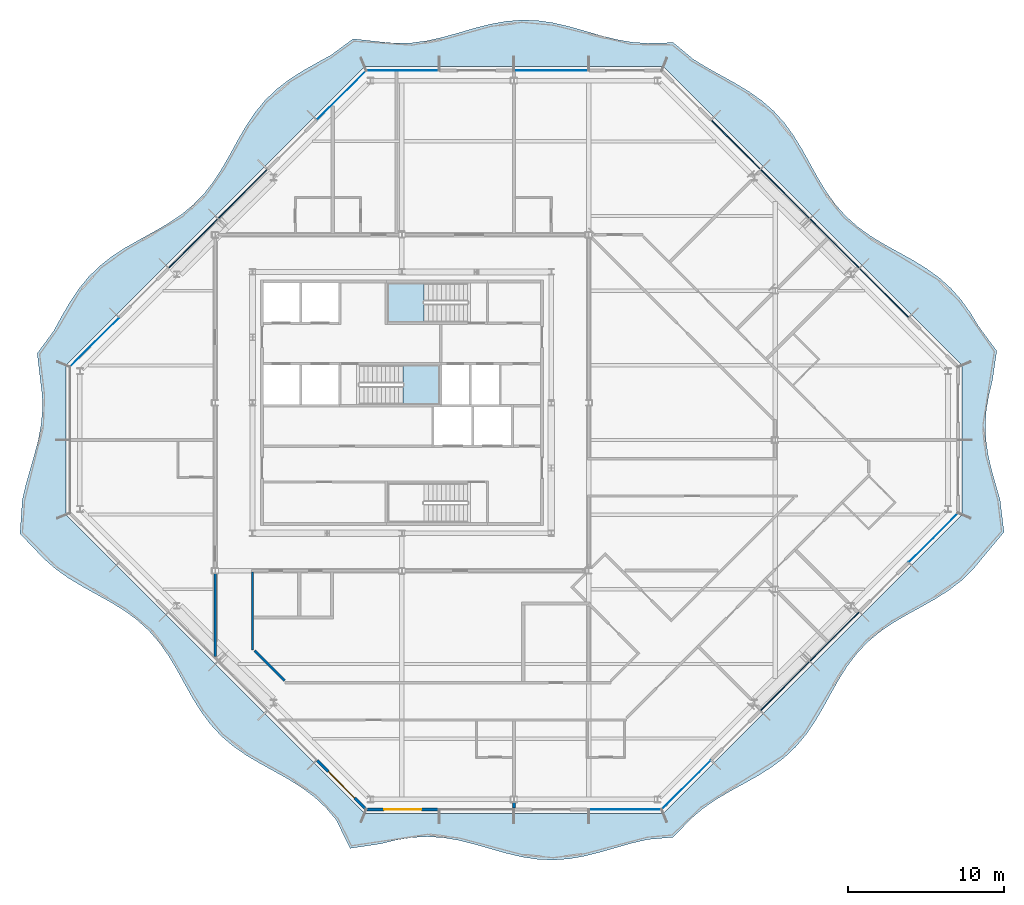
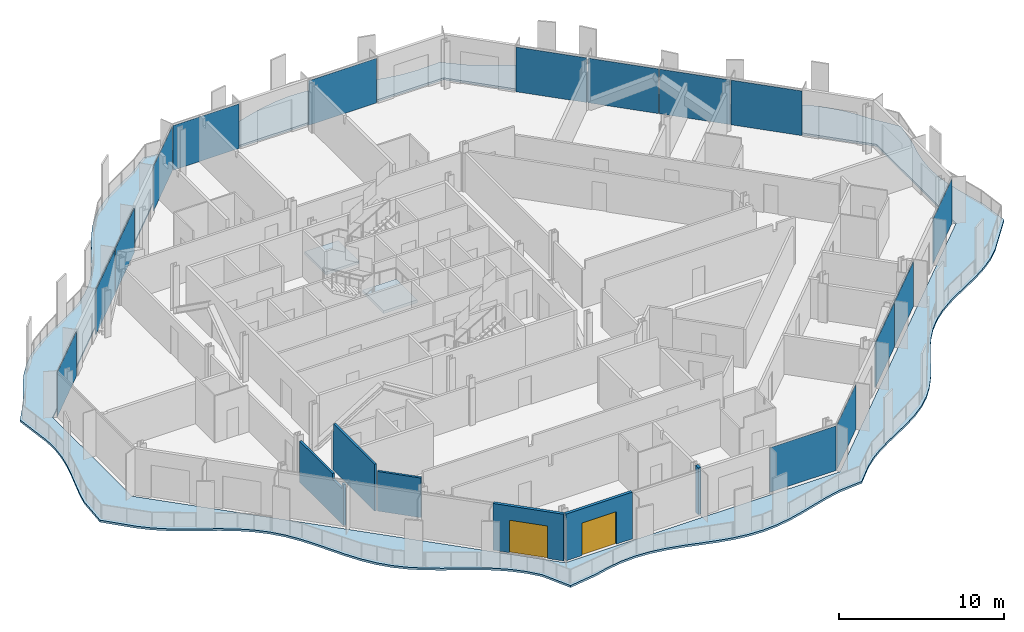
# One storey, part 6 of 17: 15 plates, 6 walls, 3 slabs, 2 doors, 2 openings, 7 elements without a shape of their own.
"""IFC4 building model written with IfcOpenShell, lengths in metres."""

from ifc_helpers import new_model, si_unit, direction, frame, frame_2d, origin, origin_2d, place, context, subcontext, project, spatial, polyline, rectangle, outline, extrude, material, layer, layer_set, type_object, element, fill, aggregate, save


model = new_model("IFC4")

# Units and contexts
model_context = context("Model", 3, precision=1e-05, world=origin(), true_north=direction((0.0, 1.0)))
body_context = subcontext(model_context, "Body", "Model", "MODEL_VIEW")
ifc_project = project(units=[si_unit("LENGTHUNIT", "METRE"), si_unit("AREAUNIT", "SQUARE_METRE"), si_unit("VOLUMEUNIT", "CUBIC_METRE"), si_unit("PLANEANGLEUNIT", "RADIAN"), si_unit("MASSUNIT", "GRAM", prefix="KILO")], contexts=[model_context])

# Site, building, storey
site_placement = place(None, origin())
site = spatial("IfcSite", under=ifc_project, at=site_placement, CompositionType="ELEMENT")
building_placement = place(site_placement, origin())
building = spatial("IfcBuilding", under=site, at=building_placement, Name="Cairn Pilgrim Tower", CompositionType="ELEMENT")
storey_placement = place(building_placement, frame((0.0, 0.0, 235.800048828125)))
storey = spatial("IfcBuildingStorey", under=building, at=storey_placement, Name="L60", CompositionType="ELEMENT", Elevation=235.800048828125)

# Slab
ifc_material_1 = material(Name="Concrete C35/45", Category="concrete")
ifc_layer_1 = layer(ifc_material_1, 0.14990234375)
ifc_layer_set_1 = layer_set([ifc_layer_1], Name="BALCONY SLAB 150 CONCRETE C35/45")
slab_type_1 = type_object("IfcSlabType", Name="BALCONY SLAB 150 CONCRETE C35/45", PredefinedType="FLOOR", material=ifc_layer_set_1)
slab_1_placement = place(storey_placement, frame((0.0, 0.0, -0.150146484375)))
element("IfcSlab", 1, at=slab_1_placement, inside=storey, type_object=slab_type_1, Name="Balcony slab BS-1", PredefinedType="FLOOR", context=body_context, shape_type="SweptSolid", body=[
    extrude(outline(polyline([(2.969970703125, -24.407958984375), (3.867919921875, -26.25), (5.810546875, -25.960205078125), (6.821044921875, -25.71533203125), (7.83154296875, -25.553466796875), (8.842041015625, -25.5), (9.8525390625, -25.563232421875), (10.863037109375, -25.73291015625), (11.873779296875, -25.983154296875), (12.88427734375, -26.27490234375), (13.894775390625, -26.5625), (14.9052734375, -26.8017578125), (15.915771484375, -26.955322265625), (16.92626953125, -26.9990234375), (17.936767578125, -26.926513671875), (18.947265625, -26.748779296875), (19.9580078125, -26.493408203125), (20.968505859375, -26.200439453125), (21.97900390625, -25.9150390625), (22.989501953125, -25.681640625), (24.636474609375, -25.53662109375), (25.7734375, -24.351318359375), (26.541748046875, -23.697265625), (27.382568359375, -23.115966796875), (28.276123046875, -22.587158203125), (29.194091796875, -22.0830078125), (30.104736328125, -21.5712890625), (30.977294921875, -21.021728515625), (31.787109375, -20.409423828125), (32.518798828125, -19.71875), (33.169189453125, -18.947021484375), (33.74755859375, -18.103271484375), (34.274658203125, -17.2080078125), (34.778564453125, -16.28955078125), (35.291259765625, -15.380126953125), (35.843017578125, -14.509765625), (36.458984375, -13.703369140625), (37.153076171875, -12.975341796875), (37.928466796875, -12.328369140625), (38.77490234375, -11.752685546875), (39.671875, -11.2275390625), (40.590576171875, -10.723876953125), (41.4990234375, -10.210205078125), (42.366943359375, -9.65576171875), (43.170166015625, -9.03662109375), (43.894287109375, -8.3388671875), (44.53759765625, -7.559814453125), (45.902099609375, -5.919189453125), (45.64990234375, -3.840087890625), (45.369873046875, -2.8798828125), (45.100830078125, -1.919921875), (44.881103515625, -0.9599609375), (44.7412109375, 0.0), (44.70068359375, 0.9599609375), (44.765625, 1.919921875), (44.926513671875, 2.8798828125), (45.1611328125, 3.840087890625), (45.43603515625, 5.726318359375), (44.27490234375, 7.297119140625), (43.738525390625, 8.182861328125), (43.145263671875, 9.011962890625), (42.476806640625, 9.765625), (41.726806640625, 10.43798828125), (40.9013671875, 11.03466796875), (40.017578125, 11.5732421875), (39.1025390625, 12.080322265625), (38.187255859375, 12.58740234375), (37.303466796875, 13.125732421875), (36.4775390625, 13.72216796875), (35.727294921875, 14.39404296875), (35.058837890625, 15.147705078125), (34.465087890625, 15.976318359375), (33.9287109375, 16.862060546875), (33.42236328125, 17.77783203125), (32.91455078125, 18.692138671875), (32.3740234375, 19.573974609375), (31.7744140625, 20.396728515625), (31.098876953125, 21.143310546875), (30.341796875, 21.808349609375), (29.510009765625, 22.39892578125), (28.622314453125, 22.933349609375), (27.705810546875, 23.439208984375), (26.792236328125, 23.94775390625), (25.91259765625, 24.490478515625), (24.640380859375, 25.545654296875), (22.989501953125, 25.500732421875), (21.97900390625, 25.572265625), (20.968505859375, 25.7490234375), (19.9580078125, 26.003662109375), (18.947265625, 26.296630859375), (17.936767578125, 26.582275390625), (16.92626953125, 26.81640625), (15.915771484375, 26.96240234375), (14.9052734375, 26.99755859375), (13.894775390625, 26.916748046875), (12.88427734375, 26.732177734375), (11.873779296875, 26.47265625), (10.863037109375, 26.1787109375), (9.8525390625, 25.8955078125), (8.842041015625, 25.667724609375), (7.83154296875, 25.5302734375), (6.821044921875, 25.504638671875), (5.810546875, 25.594970703125), (4.059814453125, 25.787109375), (2.6396484375, 24.73828125), (1.720947265625, 24.234619140625), (0.8125, 23.720947265625), (-0.0556640625, 23.166748046875), (-0.85888671875, 22.5478515625), (-1.583251953125, 21.849853515625), (-2.226806640625, 21.0712890625), (-2.7998046875, 20.221923828125), (-3.323486328125, 19.323486328125), (-3.826904296875, 18.404541015625), (-4.341796875, 17.497314453125), (-4.8984375, 16.6318359375), (-5.520751953125, 15.831787109375), (-6.22216796875, 15.111083984375), (-7.00439453125, 14.47119140625), (-7.8564453125, 13.90087890625), (-8.756591796875, 13.378662109375), (-9.675537109375, 12.87548828125), (-10.58154296875, 12.359375), (-11.444580078125, 11.800048828125), (-12.2412109375, 11.174560546875), (-12.958251953125, 10.46923828125), (-13.5947265625, 9.68359375), (-14.162353515625, 8.828857421875), (-14.682861328125, 7.927490234375), (-15.18603515625, 7.00830078125), (-16.243408203125, 5.563720703125), (-16.0400390625, 3.840087890625), (-15.922119140625, 2.8798828125), (-15.90673828125, 1.919921875), (-15.995361328125, 0.9599609375), (-16.17626953125, 0.0), (-16.423583984375, -0.9599609375), (-16.70263671875, -1.919921875), (-16.974365234375, -2.8798828125), (-17.200439453125, -3.840087890625), (-17.349365234375, -6.021728515625), (-15.81005859375, -7.63232421875), (-15.052978515625, -8.29736328125), (-14.221435546875, -8.887939453125), (-13.333740234375, -9.422607421875), (-12.417236328125, -9.928466796875), (-11.503662109375, -10.43701171875), (-10.6240234375, -10.9794921875), (-9.80419921875, -11.58203125), (-9.06103515625, -12.26123046875), (-8.399658203125, -13.021728515625), (-7.81201171875, -13.8564453125), (-7.279296875, -14.74609375), (-6.774169921875, -15.6630859375), (-6.2646484375, -16.57568359375), (-5.719970703125, -17.453125), (-5.1142578125, -18.269775390625), (-4.431396484375, -19.00927734375), (-3.667236328125, -19.667236328125), (-2.82958984375, -20.251708984375), (-1.938232421875, -20.78271484375), (-1.020751953125, -21.287353515625), (-0.10888671875, -21.7978515625), (0.766357421875, -22.3447265625), (1.57958984375, -22.95361328125), (2.3154296875, -23.64013671875), (2.969970703125, -24.407958984375)]), holes=[polyline([(24.0, -24.0), (4.800048828125, -24.0), (-14.39990234375, -4.800048828125), (-14.39990234375, 4.800048828125), (4.800048828125, 24.0), (24.0, 24.0), (43.199951171875, 4.800048828125), (43.199951171875, -4.800048828125), (24.0, -24.0)])]), origin(), (0.0, 0.0, 1.0), 0.150146484375),
])

# Curtain wall, plates
ifc_material_2 = material(Name="Aluminium alloy 6063-T6 bronze anodised with Bronze tinted laminated low-E glass 8+16+8.8", Category="aluminium")
curtain_wall_type_1 = type_object("IfcCurtainWallType", Name="CHAMFER CORNER CURTAIN WALL", PredefinedType="NOTDEFINED", material=ifc_material_2)
curtain_wall_1_placement = place(storey_placement, origin())
curtain_wall_1 = element("IfcCurtainWall", 2, at=curtain_wall_1_placement, inside=storey, type_object=curtain_wall_type_1, Name="Chamfer Corner Curtain Wall SE", PredefinedType="NOTDEFINED")
ifc_material_3 = material(Name="Bronze anodised aluminium spandrel panel with mineral wool insulation", Category="aluminium")
ifc_layer_2 = layer(ifc_material_3, 0.06005859375)
ifc_layer_set_2 = layer_set([ifc_layer_2], Name="SPANDREL PANEL 4431x3300")
plate_type_1 = type_object("IfcPlateType", Name="SPANDREL PANEL 4431x3300", PredefinedType="CURTAIN_PANEL", material=ifc_layer_set_2)
plate_1_placement = place(storey_placement, frame((31.83544921875, -15.81103515625, 0.0), z_axis=(0.0, 0.0, 1.0), x_axis=(0.707106781187, 0.707106781187, 0.0)))
plate_1 = element("IfcPlate", 3, at=plate_1_placement, type_object=plate_type_1, Name="Spandrel Panel SE3-1", PredefinedType="CURTAIN_PANEL", context=body_context, shape_type="SweptSolid", body=[
    extrude(rectangle(XDim=4.430908203125, YDim=0.06005859375, at=origin_2d()), origin(), (0.0, 0.0, 1.0), 3.300048828125),
])
plate_2_placement = place(storey_placement, frame((35.010986328125, -12.635498046875, 0.0), z_axis=(0.0, 0.0, 1.0), x_axis=(0.707106781187, 0.707106781187, 0.0)))
plate_2 = element("IfcPlate", 4, at=plate_2_placement, type_object=plate_type_1, Name="Spandrel Panel SE4-1", PredefinedType="CURTAIN_PANEL", context=body_context, shape_type="SweptSolid", body=[
    extrude(rectangle(XDim=4.430908203125, YDim=0.06005859375, at=origin_2d()), origin(), (0.0, 0.0, 1.0), 3.300048828125),
])

curtain_wall_2_placement = place(storey_placement, origin())
curtain_wall_2 = element("IfcCurtainWall", 5, at=curtain_wall_2_placement, inside=storey, type_object=curtain_wall_type_1, Name="Chamfer Corner Curtain Wall NE", PredefinedType="NOTDEFINED")
plate_3_placement = place(storey_placement, frame((38.1865234375, 9.459716796875, 0.0), z_axis=(0.0, 0.0, 1.0), x_axis=(-0.707106781187, 0.707106781187, 0.0)))
plate_3 = element("IfcPlate", 6, at=plate_3_placement, type_object=plate_type_1, Name="Spandrel Panel NE2-1", PredefinedType="CURTAIN_PANEL", context=body_context, shape_type="SweptSolid", body=[
    extrude(rectangle(XDim=4.430908203125, YDim=0.06005859375, at=origin_2d()), origin(), (0.0, 0.0, 1.0), 3.300048828125),
])
plate_4_placement = place(storey_placement, frame((35.010986328125, 12.635498046875, 0.0), z_axis=(0.0, 0.0, 1.0), x_axis=(-0.707106781187, 0.707106781187, 0.0)))
plate_4 = element("IfcPlate", 7, at=plate_4_placement, type_object=plate_type_1, Name="Spandrel Panel NE3-1", PredefinedType="CURTAIN_PANEL", context=body_context, shape_type="SweptSolid", body=[
    extrude(rectangle(XDim=4.430908203125, YDim=0.06005859375, at=origin_2d()), origin(), (0.0, 0.0, 1.0), 3.300048828125),
])
plate_5_placement = place(storey_placement, frame((31.83544921875, 15.81103515625, 0.0), z_axis=(0.0, 0.0, 1.0), x_axis=(-0.707106781187, 0.707106781187, 0.0)))
plate_5 = element("IfcPlate", 8, at=plate_5_placement, type_object=plate_type_1, Name="Spandrel Panel NE4-1", PredefinedType="CURTAIN_PANEL", context=body_context, shape_type="SweptSolid", body=[
    extrude(rectangle(XDim=4.430908203125, YDim=0.06005859375, at=origin_2d()), origin(), (0.0, 0.0, 1.0), 3.300048828125),
])
plate_6_placement = place(storey_placement, frame((28.659912109375, 18.986572265625, 0.0), z_axis=(0.0, 0.0, 1.0), x_axis=(-0.707106781187, 0.707106781187, 0.0)))
plate_6 = element("IfcPlate", 9, at=plate_6_placement, type_object=plate_type_1, Name="Spandrel Panel NE5-1", PredefinedType="CURTAIN_PANEL", context=body_context, shape_type="SweptSolid", body=[
    extrude(rectangle(XDim=4.430908203125, YDim=0.06005859375, at=origin_2d()), origin(), (0.0, 0.0, 1.0), 3.300048828125),
])
aggregate(curtain_wall_2, [plate_3, plate_4, plate_5, plate_6])

curtain_wall_3_placement = place(storey_placement, origin())
curtain_wall_3 = element("IfcCurtainWall", 10, at=curtain_wall_3_placement, inside=storey, type_object=curtain_wall_type_1, Name="Chamfer Corner Curtain Wall NW", PredefinedType="NOTDEFINED")
plate_7_placement = place(storey_placement, frame((-3.035400390625, 15.81103515625, 0.0), z_axis=(0.0, 0.0, 1.0), x_axis=(-0.707106781187, -0.707106781187, 0.0)))
plate_7 = element("IfcPlate", 11, at=plate_7_placement, type_object=plate_type_1, Name="Spandrel Panel NW3-1", PredefinedType="CURTAIN_PANEL", context=body_context, shape_type="SweptSolid", body=[
    extrude(rectangle(XDim=4.430908203125, YDim=0.06005859375, at=origin_2d()), origin(), (0.0, 0.0, 1.0), 3.300048828125),
])
plate_8_placement = place(storey_placement, frame((-6.2109375, 12.635498046875, 0.0), z_axis=(0.0, 0.0, 1.0), x_axis=(-0.707106781187, -0.707106781187, 0.0)))
plate_8 = element("IfcPlate", 12, at=plate_8_placement, type_object=plate_type_1, Name="Spandrel Panel NW4-1", PredefinedType="CURTAIN_PANEL", context=body_context, shape_type="SweptSolid", body=[
    extrude(rectangle(XDim=4.430908203125, YDim=0.06005859375, at=origin_2d()), origin(), (0.0, 0.0, 1.0), 3.300048828125),
])

# Stair, slab
ifc_material_4 = material(Name="Concrete C32/40", Category="concrete")
stair_type = type_object("IfcStairType", Name="EXIT STAIR 1200", PredefinedType="HALF_TURN_STAIR", material=ifc_material_4)
stair_1_placement = place(storey_placement, origin())
stair_1 = element("IfcStair", 13, at=stair_1_placement, inside=storey, type_object=stair_type, Name="L60 Exit Stair B", PredefinedType="HALF_TURN_STAIR")
ifc_layer_3 = layer(ifc_material_4, 0.199951171875)
ifc_layer_set_3 = layer_set([ifc_layer_3], Name="STAIR LANDING 200")
slab_type_2 = type_object("IfcSlabType", Name="STAIR LANDING 200", PredefinedType="LANDING", material=ifc_layer_set_3)
slab_2_placement = place(storey_placement, frame((0.0, 0.0, 1.599853515625)))
slab_2 = element("IfcSlab", 14, at=slab_2_placement, type_object=slab_type_2, Name="ST-B landing 1", PredefinedType="LANDING", context=body_context, shape_type="SweptSolid", body=[
    extrude(outline(polyline([(7.27490234375, 2.27490234375), (9.625, 2.27490234375), (9.625, 4.824951171875), (7.27490234375, 4.824951171875), (7.27490234375, 2.27490234375)])), origin(), (0.0, 0.0, 1.0), 0.2001953125),
])
aggregate(stair_1, [slab_2])

stair_2_placement = place(storey_placement, origin())
stair_2 = element("IfcStair", 15, at=stair_2_placement, inside=storey, type_object=stair_type, Name="L60 Exit Stair C", PredefinedType="HALF_TURN_STAIR")
slab_3_placement = place(storey_placement, frame((0.0, 0.0, 1.599853515625)))
slab_3 = element("IfcSlab", 16, at=slab_3_placement, type_object=slab_type_2, Name="ST-C landing 1", PredefinedType="LANDING", context=body_context, shape_type="SweptSolid", body=[
    extrude(outline(polyline([(8.625, 10.10009765625), (6.27490234375, 10.10009765625), (6.27490234375, 7.574951171875), (8.625, 7.574951171875), (8.625, 10.10009765625)])), origin(), (0.0, 0.0, 1.0), 0.2001953125),
])
aggregate(stair_2, [slab_3])

# Plate
ifc_material_5 = material(Name="Bronze tinted laminated low-E glass 8+16+8.8", Category="glass")
ifc_layer_4 = layer(ifc_material_5, 0.033935546875)
ifc_layer_set_4 = layer_set([ifc_layer_4], Name="VISION GLAZING 4421x3300")
plate_type_2 = type_object("IfcPlateType", Name="VISION GLAZING 4421x3300", PredefinedType="CURTAIN_PANEL", material=ifc_layer_set_4)
plate_9_placement = place(storey_placement, frame((25.48779296875, -22.15869140625, 0.0), z_axis=(0.0, 0.0, 1.0), x_axis=(0.707106781187, 0.707106781187, 0.0)))
plate_9 = element("IfcPlate", 17, at=plate_9_placement, type_object=plate_type_2, Name="Vision Glazing SE1-1", PredefinedType="CURTAIN_PANEL", context=body_context, shape_type="SweptSolid", body=[
    extrude(rectangle(XDim=4.4208984375, YDim=0.033935546875, at=origin_2d()), origin(), (0.0, 0.0, 1.0), 3.300048828125),
])

plate_10_placement = place(storey_placement, frame((41.358642578125, -6.287841796875, 0.0), z_axis=(0.0, 0.0, 1.0), x_axis=(0.707106781187, 0.707106781187, 0.0)))
plate_10 = element("IfcPlate", 18, at=plate_10_placement, type_object=plate_type_2, Name="Vision Glazing SE6-1", PredefinedType="CURTAIN_PANEL", context=body_context, shape_type="SweptSolid", body=[
    extrude(rectangle(XDim=4.4208984375, YDim=0.033935546875, at=origin_2d()), origin(), (0.0, 0.0, 1.0), 3.300048828125),
])

aggregate(curtain_wall_1, [plate_9, plate_1, plate_2, plate_10])

plate_11_placement = place(storey_placement, frame((3.312255859375, 22.15869140625, 0.0), z_axis=(0.0, 0.0, 1.0), x_axis=(-0.707106781187, -0.707106781187, 0.0)))
plate_11 = element("IfcPlate", 19, at=plate_11_placement, type_object=plate_type_2, Name="Vision Glazing NW1-1", PredefinedType="CURTAIN_PANEL", context=body_context, shape_type="SweptSolid", body=[
    extrude(rectangle(XDim=4.4208984375, YDim=0.033935546875, at=origin_2d()), origin(), (0.0, 0.0, 1.0), 3.300048828125),
])

plate_12_placement = place(storey_placement, frame((-12.55859375, 6.287841796875, 0.0), z_axis=(0.0, 0.0, 1.0), x_axis=(-0.707106781187, -0.707106781187, 0.0)))
plate_12 = element("IfcPlate", 20, at=plate_12_placement, type_object=plate_type_2, Name="Vision Glazing NW6-1", PredefinedType="CURTAIN_PANEL", context=body_context, shape_type="SweptSolid", body=[
    extrude(rectangle(XDim=4.4208984375, YDim=0.033935546875, at=origin_2d()), origin(), (0.0, 0.0, 1.0), 3.300048828125),
])

aggregate(curtain_wall_3, [plate_11, plate_7, plate_8, plate_12])

# Curtain wall, plate
curtain_wall_type_2 = type_object("IfcCurtainWallType", Name="TOWER STICK CURTAIN WALL NS", PredefinedType="NOTDEFINED", material=ifc_material_2)
curtain_wall_4_placement = place(storey_placement, origin())
curtain_wall_4 = element("IfcCurtainWall", 21, at=curtain_wall_4_placement, inside=storey, type_object=curtain_wall_type_2, Name="Tower Stick Curtain Wall Ns S", PredefinedType="NOTDEFINED")
ifc_layer_5 = layer(ifc_material_5, 0.033935546875)
ifc_layer_set_5 = layer_set([ifc_layer_5], Name="VISION GLAZING 4626x3300")
plate_type_3 = type_object("IfcPlateType", Name="VISION GLAZING 4626x3300", PredefinedType="CURTAIN_PANEL", material=ifc_layer_set_5)
plate_13_placement = place(storey_placement, frame((21.543212890625, -23.75, 0.0), z_axis=(0.0, 0.0, 1.0), x_axis=(1.0, 0.0, 0.0)))
plate_13 = element("IfcPlate", 22, at=plate_13_placement, type_object=plate_type_3, Name="Vision Glazing S4-1", PredefinedType="CURTAIN_PANEL", context=body_context, shape_type="SweptSolid", body=[
    extrude(rectangle(XDim=4.62646484375, YDim=0.033935546875, at=origin_2d()), origin(), (0.0, 0.0, 1.0), 3.300048828125),
])
aggregate(curtain_wall_4, [plate_13])

# Curtain wall, plates
curtain_wall_5_placement = place(storey_placement, origin())
curtain_wall_5 = element("IfcCurtainWall", 23, at=curtain_wall_5_placement, inside=storey, type_object=curtain_wall_type_2, Name="Tower Stick Curtain Wall Ns N", PredefinedType="NOTDEFINED")
plate_14_placement = place(storey_placement, frame((7.2568359375, 23.75, 0.0), z_axis=(0.0, 0.0, 1.0), x_axis=(-1.0, 0.0, 0.0)))
plate_14 = element("IfcPlate", 24, at=plate_14_placement, type_object=plate_type_3, Name="Vision Glazing N4-1", PredefinedType="CURTAIN_PANEL", context=body_context, shape_type="SweptSolid", body=[
    extrude(rectangle(XDim=4.62646484375, YDim=0.033935546875, at=origin_2d()), origin(), (0.0, 0.0, 1.0), 3.300048828125),
])
ifc_layer_6 = layer(ifc_material_5, 0.033935546875)
ifc_layer_set_6 = layer_set([ifc_layer_6], Name="VISION GLAZING 4740x3300")
plate_type_4 = type_object("IfcPlateType", Name="VISION GLAZING 4740x3300", PredefinedType="CURTAIN_PANEL", material=ifc_layer_set_6)
plate_15_placement = place(storey_placement, frame((16.800048828125, 23.75, 0.0), z_axis=(0.0, 0.0, 1.0), x_axis=(-1.0, 0.0, 0.0)))
plate_15 = element("IfcPlate", 25, at=plate_15_placement, type_object=plate_type_4, Name="Vision Glazing N2-1", PredefinedType="CURTAIN_PANEL", context=body_context, shape_type="SweptSolid", body=[
    extrude(rectangle(XDim=4.739990234375, YDim=0.033935546875, at=origin_2d()), origin(), (0.0, 0.0, 1.0), 3.300048828125),
])
aggregate(curtain_wall_5, [plate_15, plate_14])

# Wall, opening, door
ifc_material_6 = material(Name="Bronze anodised aluminium insulated sandwich panel with mineral wool fill", Category="aluminium")
ifc_layer_7 = layer(ifc_material_6, 0.199951171875)
ifc_layer_set_7 = layer_set([ifc_layer_7], Name="BRONZE INFILL FRAME WALL 200")
wall_type_1 = type_object("IfcWallType", Name="BRONZE INFILL FRAME WALL 200", PredefinedType="NOTDEFINED", material=ifc_layer_set_7)
wall_1_placement = place(storey_placement, frame((4.943603515625, -23.75, 0.0), z_axis=(0.0, 0.0, 1.0), x_axis=(1.0, 0.0, 0.0)))
wall_1 = element("IfcWall", 26, at=wall_1_placement, inside=storey, type_object=wall_type_1, Name="Bronze infill frame wall IW-S1", PredefinedType="NOTDEFINED", context=body_context, shape_type="SweptSolid", body=[
    extrude(rectangle(XDim=4.62646484375, YDim=0.199951171875, at=frame_2d((2.313232421875, 0.0))), origin(), (0.0, 0.0, 1.0), 3.449951171875),
])
opening_1_placement = place(wall_1_placement, frame((1.1083984375, 0.0, 0.0)))
opening_1 = element("IfcOpeningElement", 27, at=opening_1_placement, cuts=wall_1, Name="Opening 6013B2", PredefinedType="OPENING", context=body_context, shape_type="SweptSolid", body=[
    extrude(rectangle(XDim=2.39990234375, YDim=2.39990234375, at=frame_2d((1.199951171875, 1.199951171875))), frame((0.0, 0.10986328125, 0.0), z_axis=(0.0, -1.0, 0.0), x_axis=(1.0, 0.0, 0.0)), (0.0, 0.0, 1.0), 0.219970703125),
])
ifc_material_7 = material(Name="Bronze anodised aluminium frame with tinted low-E glass", Category="aluminium")
door_type = type_object("IfcDoorType", Name="BALCONY SLIDING DOOR 2400x2400", OperationType="DOUBLE_DOOR_SLIDING", PredefinedType="DOOR", material=ifc_material_7)
door_1_placement = place(opening_1_placement, origin())
door_1 = element("IfcDoor", 28, at=door_1_placement, inside=storey, type_object=door_type, Name="Balcony sliding door 6013B2", OperationType="SINGLE_SWING_LEFT", OverallHeight=2.39990234375, OverallWidth=2.39990234375, PredefinedType="DOOR", context=body_context, shape_type="SweptSolid", body=[
    extrude(rectangle(XDim=2.39990234375, YDim=2.39990234375, at=frame_2d((1.199951171875, 1.199951171875))), frame((0.0, 0.02490234375, 0.0), z_axis=(0.0, -1.0, 0.0), x_axis=(1.0, 0.0, 0.0)), (0.0, 0.0, 1.0), 0.050048828125),
])
fill(opening_1, door_1)

wall_2_placement = place(storey_placement, frame((1.749267578125, -20.595703125, 0.0), z_axis=(0.0, 0.0, 1.0), x_axis=(0.707106781187, -0.707106781187, 0.0)))
wall_2 = element("IfcWall", 29, at=wall_2_placement, inside=storey, type_object=wall_type_1, Name="Bronze infill frame wall IW-SW6", PredefinedType="NOTDEFINED", context=body_context, shape_type="SweptSolid", body=[
    extrude(rectangle(XDim=4.4208984375, YDim=0.199951171875, at=frame_2d((2.21044921875, 0.0))), origin(), (0.0, 0.0, 1.0), 3.449951171875),
])
opening_2_placement = place(wall_2_placement, frame((1.01513671875, 0.0, 0.0)))
opening_2 = element("IfcOpeningElement", 30, at=opening_2_placement, cuts=wall_2, Name="Opening 6013B", PredefinedType="OPENING", context=body_context, shape_type="SweptSolid", body=[
    extrude(rectangle(XDim=2.39990234375, YDim=2.39990234375, at=frame_2d((1.199951171875, 1.199951171875))), frame((0.0, 0.10986328125, 0.0), z_axis=(0.0, -1.0, 0.0), x_axis=(1.0, 0.0, 0.0)), (0.0, 0.0, 1.0), 0.219970703125),
])
door_2_placement = place(opening_2_placement, origin())
door_2 = element("IfcDoor", 31, at=door_2_placement, inside=storey, type_object=door_type, Name="Balcony sliding door 6013B", OperationType="SINGLE_SWING_LEFT", OverallHeight=2.39990234375, OverallWidth=2.39990234375, PredefinedType="DOOR", context=body_context, shape_type="SweptSolid", body=[
    extrude(rectangle(XDim=2.39990234375, YDim=2.39990234375, at=frame_2d((1.199951171875, 1.199951171875))), frame((0.0, 0.02490234375, 0.0), z_axis=(0.0, -1.0, 0.0), x_axis=(1.0, 0.0, 0.0)), (0.0, 0.0, 1.0), 0.050048828125),
])
fill(opening_2, door_2)

# Walls
ifc_material_8 = material(Name="Gypsum partition")
ifc_layer_8 = layer(ifc_material_8, 0.14990234375)
ifc_layer_set_8 = layer_set([ifc_layer_8], Name="PARTITION 150 DRYWALL EI 60")
wall_type_2 = type_object("IfcWallType", Name="PARTITION 150 DRYWALL EI 60", PredefinedType="PARTITIONING", material=ifc_layer_set_8)
wall_3_placement = place(storey_placement, frame((-0.333984375, -15.471923828125, 0.0), z_axis=(0.0, 0.0, 1.0), x_axis=(-0.707106781187, 0.707106781187, 0.0)))
element("IfcWall", 32, at=wall_3_placement, inside=storey, type_object=wall_type_2, Name="PARTITION W013", PredefinedType="PARTITIONING", context=body_context, shape_type="SweptSolid", body=[
    extrude(rectangle(XDim=2.74072265625, YDim=0.14990234375, at=frame_2d((1.370361328125, 0.0))), origin(), (0.0, 0.0, 1.0), 2.929931640625),
])
wall_4_placement = place(storey_placement, frame((-4.800048828125, -13.926025390625, 0.0), z_axis=(0.0, 0.0, 1.0), x_axis=(0.0, 1.0, 0.0)))
element("IfcWall", 33, at=wall_4_placement, inside=storey, type_object=wall_type_2, Name="PARTITION W017", PredefinedType="PARTITIONING", context=body_context, shape_type="SweptSolid", body=[
    extrude(outline(polyline([(0.0, 0.0), (5.338623046875, 0.0), (5.338623046875, 3.030029296875), (1.368896484375, 3.030029296875), (1.366943359375, 2.6298828125), (0.22900390625, 2.6298828125), (0.226806640625, 3.030029296875), (0.0, 3.030029296875), (0.0, 0.0)])), frame((0.0, 0.074951171875, 0.0), z_axis=(0.0, -1.0, 0.0), x_axis=(1.0, 0.0, 0.0)), (0.0, 0.0, 1.0), 0.14990234375),
])
wall_5_placement = place(storey_placement, frame((-2.39990234375, -13.51220703125, 0.0), z_axis=(0.0, 0.0, 1.0), x_axis=(0.0, 1.0, 0.0)))
element("IfcWall", 34, at=wall_5_placement, inside=storey, type_object=wall_type_2, Name="PARTITION W019", PredefinedType="PARTITIONING", context=body_context, shape_type="SweptSolid", body=[
    extrude(outline(polyline([(0.0, 0.0), (5.037109375, 0.0), (5.037109375, 2.829833984375), (4.962158203125, 2.829833984375), (4.960205078125, 3.449951171875), (0.0, 3.449951171875), (0.0, 0.0)])), frame((0.0, 0.074951171875, 0.0), z_axis=(0.0, -1.0, 0.0), x_axis=(1.0, 0.0, 0.0)), (0.0, 0.0, 1.0), 0.14990234375),
])
ifc_layer_9 = layer(ifc_material_8, 0.199951171875)
ifc_layer_set_9 = layer_set([ifc_layer_9], Name="SHAFT WALL 200 GYPSUM EI 60")
wall_type_3 = type_object("IfcWallType", Name="SHAFT WALL 200 GYPSUM EI 60", PredefinedType="PARTITIONING", material=ifc_layer_set_9)
wall_6_placement = place(storey_placement, frame((14.39990234375, -23.64990234375, 0.0), z_axis=(0.0, 0.0, 1.0), x_axis=(0.0, 1.0, 0.0)))
element("IfcWall", 35, at=wall_6_placement, inside=storey, type_object=wall_type_3, Name="PARTITION W001", PredefinedType="PARTITIONING", context=body_context, shape_type="SweptSolid", body=[
    extrude(rectangle(XDim=0.346435546875, YDim=0.199951171875, at=frame_2d((0.17333984375, 0.0))), origin(), (0.0, 0.0, 1.0), 3.449951171875),
])

save(model, "model.ifc")
